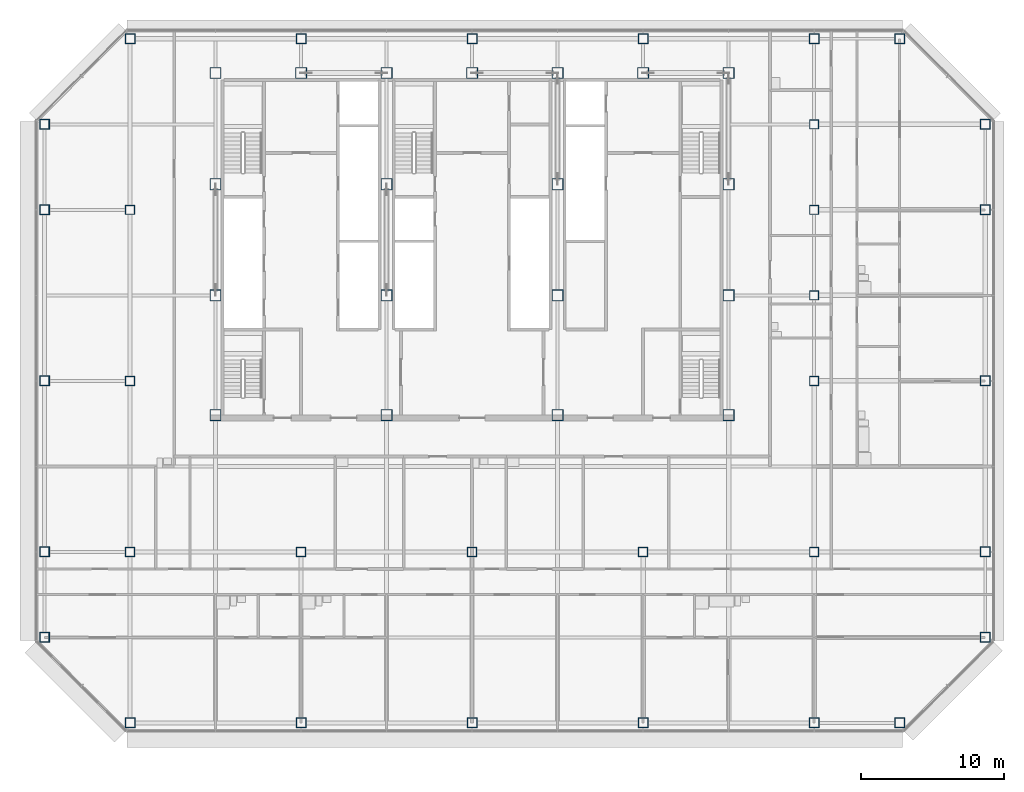
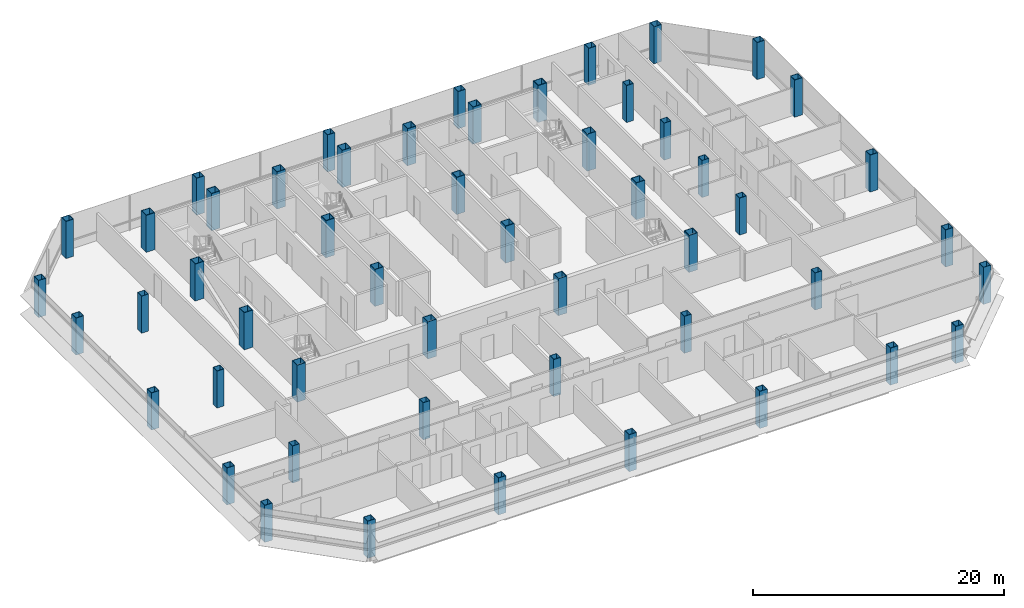
# One storey, part 1 of 26: 52 columns.
"""IFC4 building model written with IfcOpenShell, lengths in metres."""

from ifc_helpers import new_model, si_unit, direction, frame, origin, origin_2d, place, context, subcontext, project, spatial, hollow_rectangle, extrude, material, material_profile, profile_set, type_object, element, save


model = new_model("IFC4")

# Units and contexts
model_context = context("Model", 3, precision=1e-05, world=origin(), true_north=direction((0.0, 1.0)))
body_context = subcontext(model_context, "Body", "Model", "MODEL_VIEW")
ifc_project = project(units=[si_unit("LENGTHUNIT", "METRE"), si_unit("AREAUNIT", "SQUARE_METRE"), si_unit("VOLUMEUNIT", "CUBIC_METRE"), si_unit("PLANEANGLEUNIT", "RADIAN"), si_unit("MASSUNIT", "GRAM", prefix="KILO")], contexts=[model_context])

# Site, building, storey
site_placement = place(None, origin())
site = spatial("IfcSite", under=ifc_project, at=site_placement, CompositionType="ELEMENT")
building_placement = place(site_placement, origin())
building = spatial("IfcBuilding", under=site, at=building_placement, Name="Sorahane Residences", CompositionType="ELEMENT")
storey_placement = place(building_placement, frame((0.0, 0.0, 158.199951171875)))
storey = spatial("IfcBuildingStorey", under=building, at=storey_placement, Name="L36", CompositionType="ELEMENT", Elevation=158.199951171875)

# Columns
ifc_material_1 = material(Name="Steel Q355B", Category="steel")
ifc_material_profile_1 = material_profile(ifc_material_1, hollow_rectangle(XDim=0.64990234375, YDim=0.64990234375, WallThickness=0.031982421875, at=origin_2d()), Name="BOX 650x650x32")
ifc_profile_set_1 = profile_set([ifc_material_profile_1], Name="Steel Q355B")
column_type_1 = type_object("IfcColumnType", Name="Steel box column BOX 650x650x32 Q355B", PredefinedType="COLUMN", material=ifc_profile_set_1)
for number, where, z_axis, x_axis, name in (
    (1, (0.0, 12.0, 0.0), (0.0, 0.0, 1.0), (1.0, 0.0, 0.0), "Column L36 0/12"),
    (2, (0.0, 24.0, 0.0), (0.0, 0.0, 1.0), (1.0, 0.0, 0.0), "Column L36 0/24"),
    (3, (0.0, 36.0, 0.0), (0.0, 0.0, 1.0), (1.0, 0.0, 0.0), "Column L36 0/36"),
    (4, (12.0, 12.0, 0.0), (0.0, 0.0, 1.0), (1.0, 0.0, 0.0), "Column L36 12/12"),
    (5, (24.0, 12.0, 0.0), (0.0, 0.0, 1.0), (1.0, 0.0, 0.0), "Column L36 24/12"),
    (6, (36.0, 12.0, 0.0), (0.0, 0.0, 1.0), (1.0, 0.0, 0.0), "Column L36 36/12"),
    (7, (48.0, 12.0, 0.0), (0.0, 0.0, 1.0), (1.0, 0.0, 0.0), "Column L36 48/12"),
    (8, (48.0, 24.0, 0.0), (0.0, 0.0, 1.0), (1.0, 0.0, 0.0), "Column L36 48/24"),
    (9, (48.0, 30.0, 0.0), (0.0, 0.0, 1.0), (1.0, 0.0, 0.0), "Column L36 48/30"),
    (10, (48.0, 36.0, 0.0), (0.0, 0.0, 1.0), (1.0, 0.0, 0.0), "Column L36 48/36"),
    (11, (48.0, 42.0, 0.0), (0.0, 0.0, 1.0), (1.0, 0.0, 0.0), "Column L36 48/42"),
):
    element("IfcColumn", number, at=place(storey_placement, frame(where, z_axis=z_axis, x_axis=x_axis)), inside=storey, type_object=column_type_1, Name=name, PredefinedType="COLUMN", context=body_context, shape_type="SweptSolid", body=[
        extrude(hollow_rectangle(XDim=0.64990234375, YDim=0.64990234375, WallThickness=0.031982421875, at=origin_2d()), origin(), (0.0, 0.0, 1.0), 3.60009765625),
    ])
ifc_material_2 = material(Name="Steel Q355B", Category="steel")
ifc_material_profile_2 = material_profile(ifc_material_2, hollow_rectangle(XDim=0.699951171875, YDim=0.699951171875, WallThickness=0.035888671875, at=origin_2d()), Name="BOX 700x700x36")
ifc_profile_set_2 = profile_set([ifc_material_profile_2], Name="Steel Q355B")
column_type_2 = type_object("IfcColumnType", Name="Steel box column BOX 700x700x36 Q355B", PredefinedType="COLUMN", material=ifc_profile_set_2)
for number, where, z_axis, x_axis, name in (
    (12, (-6.0, 6.0, 0.0), (0.0, 0.0, 1.0), (1.0, 0.0, 0.0), "Column L36 m6/6"),
    (13, (-6.0, 12.0, 0.0), (0.0, 0.0, 1.0), (1.0, 0.0, 0.0), "Column L36 m6/12"),
    (14, (-6.0, 24.0, 0.0), (0.0, 0.0, 1.0), (1.0, 0.0, 0.0), "Column L36 m6/24"),
    (15, (-6.0, 36.0, 0.0), (0.0, 0.0, 1.0), (1.0, 0.0, 0.0), "Column L36 m6/36"),
    (16, (-6.0, 42.0, 0.0), (0.0, 0.0, 1.0), (1.0, 0.0, 0.0), "Column L36 m6/42"),
    (17, (0.0, 0.0, 0.0), (0.0, 0.0, 1.0), (1.0, 0.0, 0.0), "Column L36 0/0"),
    (18, (0.0, 48.0, 0.0), (0.0, 0.0, 1.0), (1.0, 0.0, 0.0), "Column L36 0/48"),
    (19, (12.0, 0.0, 0.0), (0.0, 0.0, 1.0), (1.0, 0.0, 0.0), "Column L36 12/0"),
    (20, (12.0, 48.0, 0.0), (0.0, 0.0, 1.0), (1.0, 0.0, 0.0), "Column L36 12/48"),
    (21, (24.0, 0.0, 0.0), (0.0, 0.0, 1.0), (1.0, 0.0, 0.0), "Column L36 24/0"),
    (22, (24.0, 48.0, 0.0), (0.0, 0.0, 1.0), (1.0, 0.0, 0.0), "Column L36 24/48"),
    (23, (36.0, 0.0, 0.0), (0.0, 0.0, 1.0), (1.0, 0.0, 0.0), "Column L36 36/0"),
    (24, (36.0, 48.0, 0.0), (0.0, 0.0, 1.0), (1.0, 0.0, 0.0), "Column L36 36/48"),
    (25, (48.0, 0.0, 0.0), (0.0, 0.0, 1.0), (1.0, 0.0, 0.0), "Column L36 48/0"),
    (26, (48.0, 48.0, 0.0), (0.0, 0.0, 1.0), (1.0, 0.0, 0.0), "Column L36 48/48"),
    (27, (54.0, 0.0, 0.0), (0.0, 0.0, 1.0), (1.0, 0.0, 0.0), "Column L36 54/0"),
    (28, (54.0, 48.0, 0.0), (0.0, 0.0, 1.0), (1.0, 0.0, 0.0), "Column L36 54/48"),
    (29, (60.0, 6.0, 0.0), (0.0, 0.0, 1.0), (1.0, 0.0, 0.0), "Column L36 60/6"),
    (30, (60.0, 12.0, 0.0), (0.0, 0.0, 1.0), (1.0, 0.0, 0.0), "Column L36 60/12"),
    (31, (60.0, 24.0, 0.0), (0.0, 0.0, 1.0), (1.0, 0.0, 0.0), "Column L36 60/24"),
    (32, (60.0, 36.0, 0.0), (0.0, 0.0, 1.0), (1.0, 0.0, 0.0), "Column L36 60/36"),
    (33, (60.0, 42.0, 0.0), (0.0, 0.0, 1.0), (1.0, 0.0, 0.0), "Column L36 60/42"),
):
    element("IfcColumn", number, at=place(storey_placement, frame(where, z_axis=z_axis, x_axis=x_axis)), inside=storey, type_object=column_type_2, Name=name, PredefinedType="COLUMN", context=body_context, shape_type="SweptSolid", body=[
        extrude(hollow_rectangle(XDim=0.699951171875, YDim=0.699951171875, WallThickness=0.035888671875, at=origin_2d()), origin(), (0.0, 0.0, 1.0), 3.60009765625),
    ])
ifc_material_3 = material(Name="Steel Q420GJ", Category="steel")
ifc_material_profile_3 = material_profile(ifc_material_3, hollow_rectangle(XDim=0.800048828125, YDim=0.800048828125, WallThickness=0.044921875, at=origin_2d()), Name="BOX 800x800x45")
ifc_profile_set_3 = profile_set([ifc_material_profile_3], Name="Steel Q420GJ")
column_type_3 = type_object("IfcColumnType", Name="Steel box column BOX 800x800x45 Q420GJ", PredefinedType="COLUMN", material=ifc_profile_set_3)
for number, where, z_axis, x_axis, name in (
    (34, (6.0, 21.60009765625, 0.0), (0.0, 0.0, 1.0), (1.0, 0.0, 0.0), "Column L36 6/21.6"),
    (35, (6.0, 30.0, 0.0), (0.0, 0.0, 1.0), (1.0, 0.0, 0.0), "Column L36 6/30"),
    (36, (6.0, 37.800048828125, 0.0), (0.0, 0.0, 1.0), (1.0, 0.0, 0.0), "Column L36 6/37.8"),
    (37, (6.0, 45.60009765625, 0.0), (0.0, 0.0, 1.0), (1.0, 0.0, 0.0), "Column L36 6/45.6"),
    (38, (12.0, 45.60009765625, 0.0), (0.0, 0.0, 1.0), (1.0, 0.0, 0.0), "Column L36 12/45.6"),
    (39, (18.0, 21.60009765625, 0.0), (0.0, 0.0, 1.0), (1.0, 0.0, 0.0), "Column L36 18/21.6"),
    (40, (18.0, 30.0, 0.0), (0.0, 0.0, 1.0), (1.0, 0.0, 0.0), "Column L36 18/30"),
    (41, (18.0, 37.800048828125, 0.0), (0.0, 0.0, 1.0), (1.0, 0.0, 0.0), "Column L36 18/37.8"),
    (42, (18.0, 45.60009765625, 0.0), (0.0, 0.0, 1.0), (1.0, 0.0, 0.0), "Column L36 18/45.6"),
    (43, (24.0, 45.60009765625, 0.0), (0.0, 0.0, 1.0), (1.0, 0.0, 0.0), "Column L36 24/45.6"),
    (44, (30.0, 21.60009765625, 0.0), (0.0, 0.0, 1.0), (1.0, 0.0, 0.0), "Column L36 30/21.6"),
    (45, (30.0, 30.0, 0.0), (0.0, 0.0, 1.0), (1.0, 0.0, 0.0), "Column L36 30/30"),
    (46, (30.0, 37.800048828125, 0.0), (0.0, 0.0, 1.0), (1.0, 0.0, 0.0), "Column L36 30/37.8"),
    (47, (30.0, 45.60009765625, 0.0), (0.0, 0.0, 1.0), (1.0, 0.0, 0.0), "Column L36 30/45.6"),
    (48, (36.0, 45.60009765625, 0.0), (0.0, 0.0, 1.0), (1.0, 0.0, 0.0), "Column L36 36/45.6"),
    (49, (42.0, 21.60009765625, 0.0), (0.0, 0.0, 1.0), (1.0, 0.0, 0.0), "Column L36 42/21.6"),
    (50, (42.0, 30.0, 0.0), (0.0, 0.0, 1.0), (1.0, 0.0, 0.0), "Column L36 42/30"),
    (51, (42.0, 37.800048828125, 0.0), (0.0, 0.0, 1.0), (1.0, 0.0, 0.0), "Column L36 42/37.8"),
    (52, (42.0, 45.60009765625, 0.0), (0.0, 0.0, 1.0), (1.0, 0.0, 0.0), "Column L36 42/45.6"),
):
    element("IfcColumn", number, at=place(storey_placement, frame(where, z_axis=z_axis, x_axis=x_axis)), inside=storey, type_object=column_type_3, Name=name, PredefinedType="COLUMN", context=body_context, shape_type="SweptSolid", body=[
        extrude(hollow_rectangle(XDim=0.800048828125, YDim=0.800048828125, WallThickness=0.044921875, at=origin_2d()), origin(), (0.0, 0.0, 1.0), 3.60009765625),
    ])

save(model, "model.ifc")
